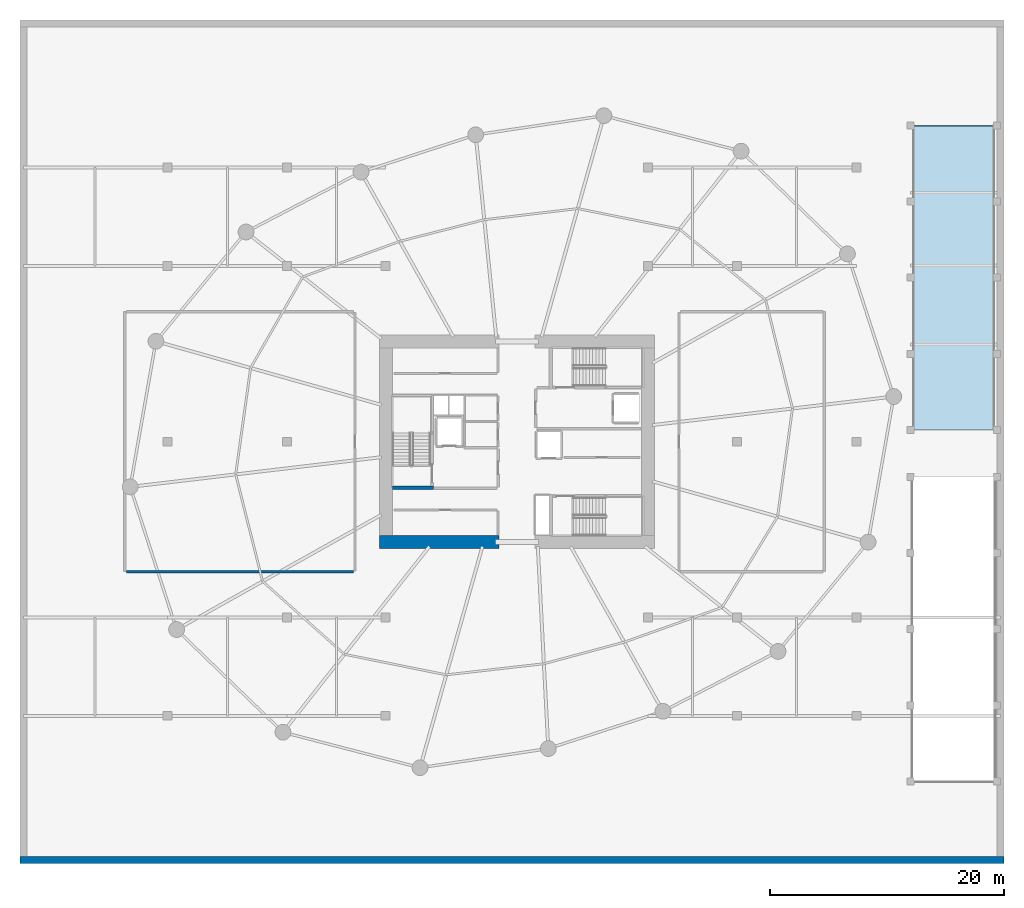
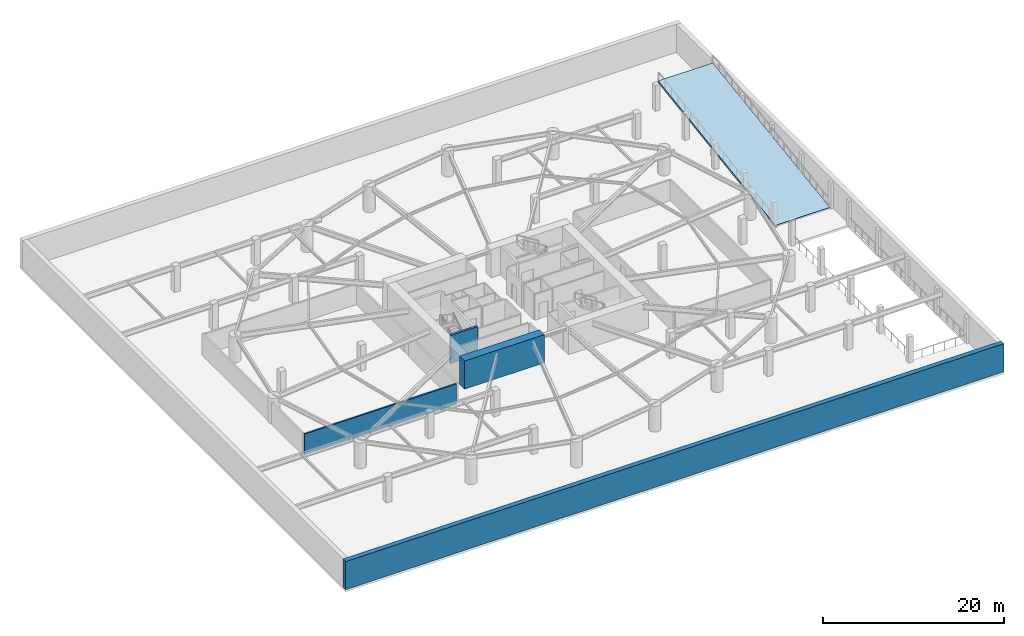
# One storey, part 7 of 13: 4 walls, 1 slab.
"""IFC4 building model written with IfcOpenShell, lengths in metres."""

from ifc_helpers import new_model, si_unit, direction, frame, frame_2d, origin, place, context, subcontext, project, spatial, polyline, rectangle, outline, extrude, material, layer, layer_set, type_object, element, save


model = new_model("IFC4")

# Units and contexts
model_context = context("Model", 3, precision=1e-05, world=origin(), true_north=direction((0.0, 1.0)))
body_context = subcontext(model_context, "Body", "Model", "MODEL_VIEW")
ifc_project = project(units=[si_unit("LENGTHUNIT", "METRE"), si_unit("AREAUNIT", "SQUARE_METRE"), si_unit("VOLUMEUNIT", "CUBIC_METRE"), si_unit("PLANEANGLEUNIT", "RADIAN"), si_unit("MASSUNIT", "GRAM", prefix="KILO")], contexts=[model_context])

# Site, building, storey
site_placement = place(None, origin())
site = spatial("IfcSite", under=ifc_project, at=site_placement, CompositionType="ELEMENT")
building_placement = place(site_placement, origin())
building = spatial("IfcBuilding", under=site, at=building_placement, Name="Kazma Halo Residences", CompositionType="ELEMENT")
storey_placement = place(building_placement, frame((0.0, 0.0, -3.800048828125)))
storey = spatial("IfcBuildingStorey", under=building, at=storey_placement, Name="B01", CompositionType="ELEMENT", Elevation=-3.800048828125)

# Slab
ifc_material_1 = material(Name="Concrete C50/60", Category="concrete")
ifc_layer_1 = layer(ifc_material_1, 0.260009765625)
ifc_layer_set_1 = layer_set([ifc_layer_1], Name="Concrete C50/60")
slab_type = type_object("IfcSlabType", Name="SLB-RAMP-250", PredefinedType="FLOOR", material=ifc_layer_set_1)
slab_placement = place(storey_placement, frame((82.219970703125, 43.050048828125, 0.0), z_axis=(0.0, -0.145166411204, 0.989407253389), x_axis=(1.0, 0.0, 0.0)))
element("IfcSlab", 1, at=slab_placement, inside=storey, type_object=slab_type, Name="Two-way vehicle ramp L00 to B01", PredefinedType="FLOOR", context=body_context, shape_type="SweptSolid", body=[
    extrude(outline(polyline([(0.0, 0.0), (6.9599609375, 0.0), (6.9599609375, 26.17724609375), (0.0, 26.17724609375), (0.0, 0.0)])), origin(), (0.0, 0.0, -1.0), 0.260009765625),
])

# Walls
ifc_material_2 = material(Name="Concrete C80/95", Category="concrete")
ifc_layer_2 = layer(ifc_material_2, 1.10009765625)
ifc_layer_set_2 = layer_set([ifc_layer_2], Name="Concrete C80/95")
wall_type_1 = type_object("IfcWallType", Name="WL-CORE-1100", PredefinedType="SHEAR", material=ifc_layer_set_2)
wall_1_placement = place(storey_placement, frame((36.699951171875, 33.449951171875, 0.0), z_axis=(0.0, 0.0, 1.0), x_axis=(1.0, 0.0, 0.0)))
element("IfcWall", 2, at=wall_1_placement, inside=storey, type_object=wall_type_1, Name="B01 central core shear wall SW", PredefinedType="SHEAR", context=body_context, shape_type="SweptSolid", body=[
    extrude(rectangle(XDim=10.199951171875, YDim=1.10009765625, at=frame_2d((5.10009765625, 0.0))), origin(), (0.0, 0.0, 1.0), 3.800048828125),
])
ifc_material_3 = material(Name="Concrete C60/75", Category="concrete")
ifc_layer_3 = layer(ifc_material_3, 0.280029296875)
ifc_layer_set_3 = layer_set([ifc_layer_3], Name="Concrete C60/75")
wall_type_2 = type_object("IfcWallType", Name="WL-CORE-ST-280", PredefinedType="SHEAR", material=ifc_layer_set_3)
wall_2_placement = place(storey_placement, frame((37.800048828125, 38.06005859375, 0.0), z_axis=(0.0, 0.0, 1.0), x_axis=(1.0, 0.0, 0.0)))
element("IfcWall", 3, at=wall_2_placement, inside=storey, type_object=wall_type_2, Name="B01 stairwell bearing wall ST01-S", PredefinedType="SHEAR", context=body_context, shape_type="SweptSolid", body=[
    extrude(rectangle(XDim=3.5, YDim=0.280029296875, at=frame_2d((1.75, 0.0))), origin(), (0.0, 0.0, 1.0), 3.800048828125),
])
ifc_material_4 = material(Name="Fire-Rated Blockwork Masonry", Category="masonry")
ifc_layer_4 = layer(ifc_material_4, 0.199951171875)
ifc_layer_set_4 = layer_set([ifc_layer_4], Name="Fire-Rated Blockwork Masonry")
wall_type_3 = type_object("IfcWallType", Name="WL-FLB-200", PredefinedType="PARTITIONING", material=ifc_layer_set_4)
wall_3_placement = place(storey_placement, frame((15.070068359375, 30.89990234375, 0.0), z_axis=(0.0, 0.0, 1.0), x_axis=(1.0, 0.0, 0.0)))
element("IfcWall", 4, at=wall_3_placement, inside=storey, type_object=wall_type_3, Name="B01 west plant south wall", PredefinedType="PARTITIONING", context=body_context, shape_type="SweptSolid", body=[
    extrude(rectangle(XDim=19.409912109375, YDim=0.199951171875, at=frame_2d((9.705078125, 0.0))), origin(), (0.0, 0.0, 1.0), 2.77099609375),
])
ifc_layer_5 = layer(ifc_material_1, 0.60009765625)
ifc_layer_set_5 = layer_set([ifc_layer_5], Name="Concrete C50/60")
wall_type_4 = type_object("IfcWallType", Name="WL-RET-600", PredefinedType="USERDEFINED", material=ifc_layer_set_5)
wall_4_placement = place(storey_placement, frame((6.0, 6.300048828125, 0.0), z_axis=(0.0, 0.0, 1.0), x_axis=(1.0, 0.0, 0.0)))
element("IfcWall", 5, at=wall_4_placement, inside=storey, type_object=wall_type_4, Name="B01 S perimeter retaining wall", ObjectType="RETAININGWALL", PredefinedType="USERDEFINED", context=body_context, shape_type="SweptSolid", body=[
    extrude(rectangle(XDim=84.0, YDim=0.60009765625, at=frame_2d((42.0, 0.0))), origin(), (0.0, 0.0, 1.0), 3.800048828125),
])

save(model, "model.ifc")
